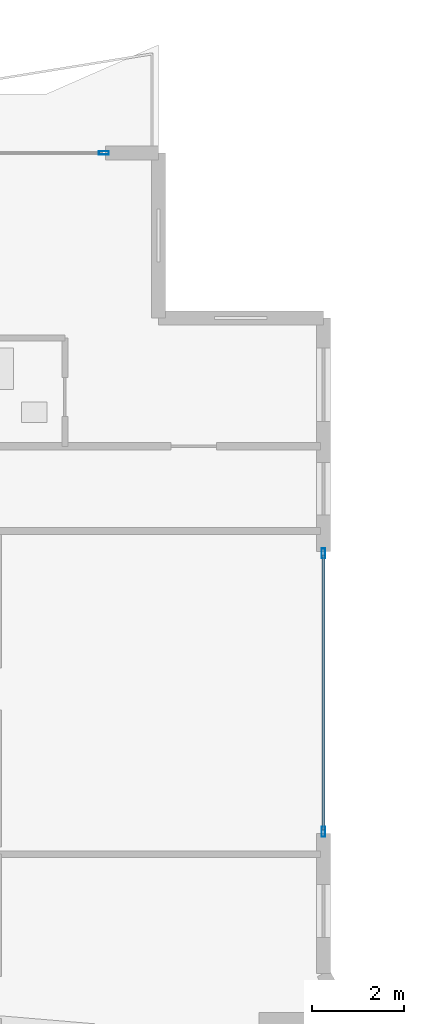
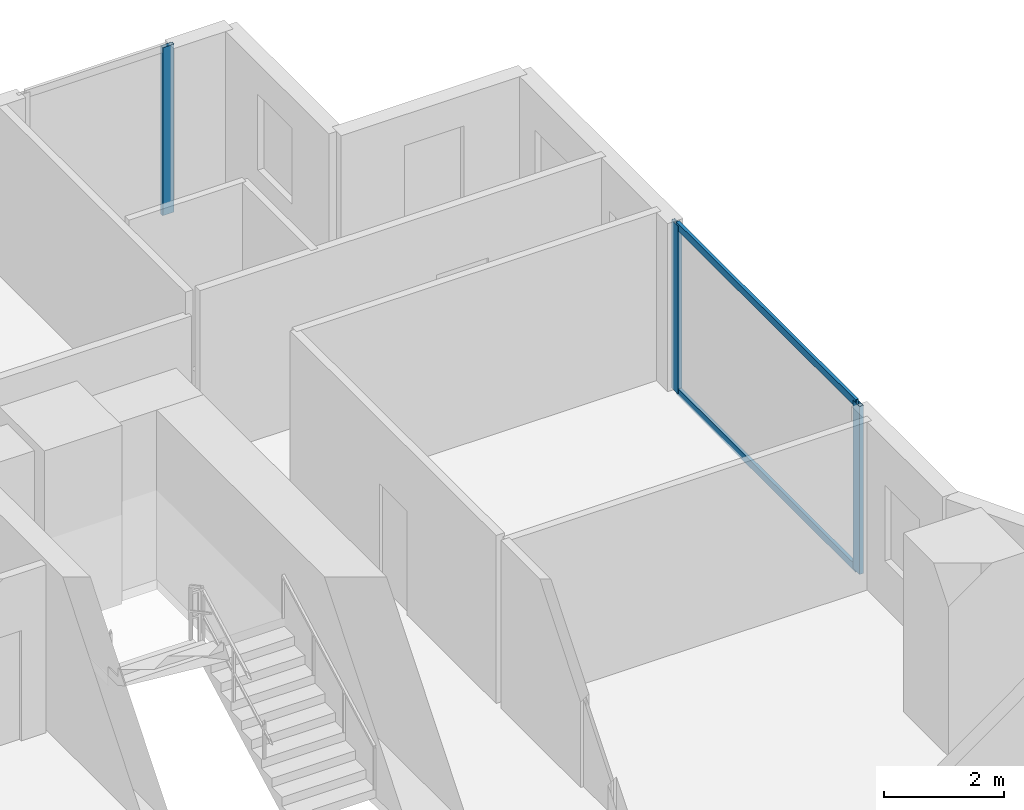
# One storey, part 17 of 30: 5 members, 2 elements without a shape of their own.
"""IFC4 building model written with IfcOpenShell, lengths in metres."""

from ifc_helpers import new_model, si_unit, direction, frame, origin, origin_2d, place, context, subcontext, project, spatial, hollow_rectangle, extrude, material, layer, layer_set, material_profile, profile_set, type_object, element, aggregate, save


model = new_model("IFC4")

# Units and contexts
model_context = context("Model", 3, precision=1e-05, world=origin(), true_north=direction((0.0, 1.0)))
body_context = subcontext(model_context, "Body", "Model", "MODEL_VIEW")
ifc_project = project(units=[si_unit("LENGTHUNIT", "METRE"), si_unit("AREAUNIT", "SQUARE_METRE"), si_unit("VOLUMEUNIT", "CUBIC_METRE"), si_unit("PLANEANGLEUNIT", "RADIAN"), si_unit("MASSUNIT", "GRAM", prefix="KILO")], contexts=[model_context])

# Site, building, storey
site_placement = place(None, origin())
site = spatial("IfcSite", under=ifc_project, at=site_placement, CompositionType="ELEMENT")
building_placement = place(site_placement, origin())
building = spatial("IfcBuilding", under=site, at=building_placement, Name="Zuhayl Quay Hotel", CompositionType="ELEMENT")
storey_placement = place(building_placement, frame((0.0, 0.0, 82.35009765625)))
storey = spatial("IfcBuildingStorey", under=building, at=storey_placement, Name="L20", CompositionType="ELEMENT", Elevation=82.35009765625)

# Curtain wall, member
ifc_material_1 = material(Name="Anodised Aluminium 6063-T6", Category="aluminium")
ifc_layer = layer(ifc_material_1, 0.18994140625, Name="Anodised Aluminium 6063-T6", Category="aluminium")
ifc_layer_set = layer_set([ifc_layer], Name="Anodised Aluminium 6063-T6")
curtain_wall_type = type_object("IfcCurtainWallType", Name="CW_SYS_Z1", PredefinedType="USERDEFINED", material=ifc_layer_set)
curtain_wall_1_placement = place(storey_placement, origin())
curtain_wall_1 = element("IfcCurtainWall", 1, at=curtain_wall_1_placement, inside=storey, type_object=curtain_wall_type, Name="L20 Curtain Wall ENV_L20_N_CW8", ObjectType="UNITISED CURTAIN WALL", PredefinedType="USERDEFINED")
ifc_material_2 = material(Name="Black-anodised aluminium 6063-T6", Category="aluminium")
ifc_material_profile_1 = material_profile(ifc_material_2, hollow_rectangle(XDim=0.074951171875, YDim=0.219970703125, WallThickness=0.00390625, at=origin_2d()), Name="ALU220X75")
ifc_profile_set_1 = profile_set([ifc_material_profile_1], Name="Black-anodised aluminium 6063-T6")
member_type_1 = type_object("IfcMemberType", Name="MB_CW_MUL_220", PredefinedType="MULLION", material=ifc_profile_set_1)
member_1_placement = place(storey_placement, frame((20.91259765625, 23.10009765625, 0.0), z_axis=(0.0, 0.0, 1.0), x_axis=(0.0, 1.0, 0.0)))
member_1 = element("IfcMember", 2, at=member_1_placement, type_object=member_type_1, Name="CW-Z1 mullion 2", PredefinedType="MULLION", context=body_context, shape_type="SweptSolid", body=[
    extrude(hollow_rectangle(XDim=0.074951171875, YDim=0.219970703125, WallThickness=0.00390625, at=origin_2d()), origin(), (0.0, 0.0, 1.0), 3.429931640625),
])
aggregate(curtain_wall_1, [member_1])

# Curtain wall, members
curtain_wall_2_placement = place(storey_placement, origin())
curtain_wall_2 = element("IfcCurtainWall", 3, at=curtain_wall_2_placement, inside=storey, type_object=curtain_wall_type, Name="L20 Curtain Wall ENV_L20_E11_CW1", ObjectType="UNITISED CURTAIN WALL", PredefinedType="USERDEFINED")
member_2_placement = place(storey_placement, frame((25.699951171875, 14.362548828125, 0.0), z_axis=(0.0, 0.0, 1.0), x_axis=(1.0, 0.0, 0.0)))
member_2 = element("IfcMember", 4, at=member_2_placement, type_object=member_type_1, Name="CW-Z1 mullion 1", PredefinedType="MULLION", context=body_context, shape_type="SweptSolid", body=[
    extrude(hollow_rectangle(XDim=0.074951171875, YDim=0.219970703125, WallThickness=0.00390625, at=origin_2d()), origin(), (0.0, 0.0, 1.0), 3.429931640625),
])
member_3_placement = place(storey_placement, frame((25.699951171875, 8.28759765625, 0.0), z_axis=(0.0, 0.0, 1.0), x_axis=(1.0, 0.0, 0.0)))
member_3 = element("IfcMember", 5, at=member_3_placement, type_object=member_type_1, Name="CW-Z1 mullion 2", PredefinedType="MULLION", context=body_context, shape_type="SweptSolid", body=[
    extrude(hollow_rectangle(XDim=0.074951171875, YDim=0.219970703125, WallThickness=0.00390625, at=origin_2d()), origin(), (0.0, 0.0, 1.0), 3.429931640625),
])
ifc_material_profile_2 = material_profile(ifc_material_2, hollow_rectangle(XDim=0.06005859375, YDim=0.14990234375, WallThickness=0.00341796875, at=origin_2d()), Name="ALU150X60")
ifc_profile_set_2 = profile_set([ifc_material_profile_2], Name="Black-anodised aluminium 6063-T6")
member_type_2 = type_object("IfcMemberType", Name="MB_CW_TRN_150", PredefinedType="USERDEFINED", material=ifc_profile_set_2)
member_4_placement = place(storey_placement, frame((25.699951171875, 14.324951171875, 0.02978515625), z_axis=(0.0, -1.0, 0.0), x_axis=(1.0, 0.0, 0.0)))
member_4 = element("IfcMember", 6, at=member_4_placement, type_object=member_type_2, Name="CW-Z1 transom 1.1", ObjectType="TRANSOM", PredefinedType="USERDEFINED", context=body_context, shape_type="SweptSolid", body=[
    extrude(hollow_rectangle(XDim=0.06005859375, YDim=0.14990234375, WallThickness=0.00341796875, at=origin_2d()), origin(), (0.0, 0.0, 1.0), 6.0),
])
member_5_placement = place(storey_placement, frame((25.699951171875, 14.324951171875, 3.39990234375), z_axis=(0.0, -1.0, 0.0), x_axis=(1.0, 0.0, 0.0)))
member_5 = element("IfcMember", 7, at=member_5_placement, type_object=member_type_2, Name="CW-Z1 transom 1.2", ObjectType="TRANSOM", PredefinedType="USERDEFINED", context=body_context, shape_type="SweptSolid", body=[
    extrude(hollow_rectangle(XDim=0.06005859375, YDim=0.14990234375, WallThickness=0.00341796875, at=origin_2d()), origin(), (0.0, 0.0, 1.0), 6.0),
])
aggregate(curtain_wall_2, [member_2, member_3, member_4, member_5])

save(model, "model.ifc")
